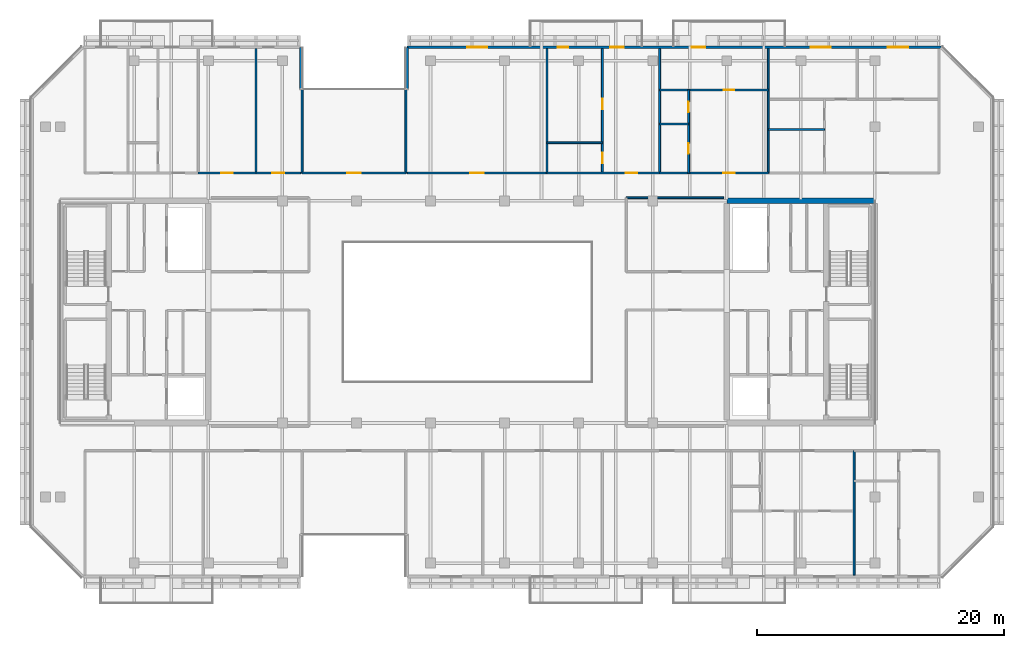
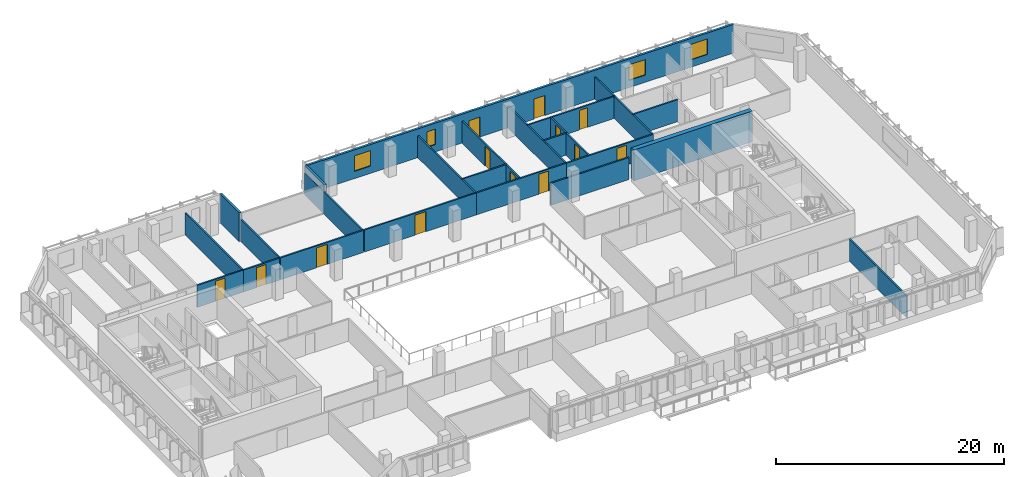
# One storey, part 9 of 16: 24 walls, 13 doors, 4 windows, 17 openings.
"""IFC4 building model written with IfcOpenShell, lengths in metres."""

from ifc_helpers import new_model, si_unit, direction, frame, frame_2d, origin, place, context, subcontext, project, spatial, rectangle, extrude, material, layer, layer_set, type_object, element, fill, save


model = new_model("IFC4")

# Units and contexts
model_context = context("Model", 3, precision=1e-05, world=origin(), true_north=direction((0.0, 1.0)))
body_context = subcontext(model_context, "Body", "Model", "MODEL_VIEW")
ifc_project = project(units=[si_unit("LENGTHUNIT", "METRE"), si_unit("AREAUNIT", "SQUARE_METRE"), si_unit("VOLUMEUNIT", "CUBIC_METRE"), si_unit("PLANEANGLEUNIT", "RADIAN"), si_unit("MASSUNIT", "GRAM", prefix="KILO")], contexts=[model_context])

# Site, building, storey
site_placement = place(None, origin())
site = spatial("IfcSite", under=ifc_project, at=site_placement, CompositionType="ELEMENT")
building_placement = place(site_placement, origin())
building = spatial("IfcBuilding", under=site, at=building_placement, Name="Tanjung Sevakor Pilgrim Tower", CompositionType="ELEMENT")
storey_placement = place(building_placement, frame((0.0, 0.0, 191.72998046875)))
storey = spatial("IfcBuildingStorey", under=building, at=storey_placement, Name="L53", CompositionType="ELEMENT", Elevation=191.72998046875)

# Walls
ifc_material_1 = material(Name="Concrete C60/75", Category="concrete")
ifc_layer_1 = layer(ifc_material_1, 0.449951171875)
ifc_layer_set_1 = layer_set([ifc_layer_1], Name="WALL-CW-450")
wall_type_1 = type_object("IfcWallType", Name="WALL-CW-450", PredefinedType="SHEAR", material=ifc_layer_set_1)
wall_1_placement = place(storey_placement, frame((90.0, 42.60009765625, 0.0), z_axis=(0.0, 0.0, 1.0), x_axis=(-1.0, 0.0, 0.0)))
element("IfcWall", 1, at=wall_1_placement, inside=storey, type_object=wall_type_1, Name="L53 E Core North Shear Wall", PredefinedType="SHEAR", context=body_context, shape_type="SweptSolid", body=[
    extrude(rectangle(XDim=12.0, YDim=0.449951171875, at=frame_2d((6.0, 0.0))), origin(), (0.0, 0.0, 1.0), 3.300048828125),
])
ifc_material_2 = material(Name="Concrete C40/50", Category="concrete")
ifc_layer_2 = layer(ifc_material_2, 0.14990234375)
ifc_layer_set_2 = layer_set([ifc_layer_2], Name="WT-COMP-150")
wall_type_2 = type_object("IfcWallType", Name="WT-COMP-150", PredefinedType="SOLIDWALL", material=ifc_layer_set_2)
wall_2_placement = place(storey_placement, frame((69.85009765625, 42.85009765625, 0.0), z_axis=(0.0, 0.0, 1.0), x_axis=(1.0, 0.0, 0.0)))
element("IfcWall", 2, at=wall_2_placement, inside=storey, type_object=wall_type_2, Name="L53 Partition IW-L53-043", PredefinedType="SOLIDWALL", context=body_context, shape_type="SweptSolid", body=[
    extrude(rectangle(XDim=7.90478515625, YDim=0.14990234375, at=frame_2d((3.952392578125, 0.0))), origin(), (0.0, 0.0, 1.0), 2.35009765625),
])

# Wall, opening, door
wall_3_placement = place(storey_placement, frame((43.60009765625, 44.85009765625, 0.0), z_axis=(0.0, 0.0, 1.0), x_axis=(1.0, 0.0, 0.0)))
wall_3 = element("IfcWall", 3, at=wall_3_placement, inside=storey, type_object=wall_type_2, Name="L53 Partition IW-L53-048", PredefinedType="SOLIDWALL", context=body_context, shape_type="SweptSolid", body=[
    extrude(rectangle(XDim=8.39990234375, YDim=0.14990234375, at=frame_2d((4.199951171875, 0.0))), origin(), (0.0, 0.0, 1.0), 2.35009765625),
])
opening_1_placement = place(wall_3_placement, frame((3.64990234375, 0.0, 0.0)))
opening_1 = element("IfcOpeningElement", 4, at=opening_1_placement, cuts=wall_3, Name="Opening ID-RM2", PredefinedType="OPENING", context=body_context, shape_type="SweptSolid", body=[
    extrude(rectangle(XDim=1.10009765625, YDim=2.14990234375, at=frame_2d((0.550048828125, 1.074951171875))), frame((0.0, 0.0849609375, 0.0), z_axis=(0.0, -1.0, 0.0), x_axis=(1.0, 0.0, 0.0)), (0.0, 0.0, 1.0), 0.169921875),
])
ifc_material_3 = material(Name="Hardwood Timber", Category="wood")
door_type_1 = type_object("IfcDoorType", Name="DT-INT-1100", OperationType="NOTDEFINED", PredefinedType="DOOR", material=ifc_material_3)
door_1_placement = place(opening_1_placement, origin())
door_1 = element("IfcDoor", 5, at=door_1_placement, inside=storey, type_object=door_type_1, Name="L53 North Cleft Prayer Room Door", OperationType="SINGLE_SWING_LEFT", OverallHeight=2.14990234375, OverallWidth=1.10009765625, PredefinedType="DOOR", context=body_context, shape_type="SweptSolid", body=[
    extrude(rectangle(XDim=1.10009765625, YDim=2.14990234375, at=frame_2d((0.550048828125, 1.074951171875))), frame((0.0, 0.02490234375, 0.0), z_axis=(0.0, -1.0, 0.0), x_axis=(1.0, 0.0, 0.0)), (0.0, 0.0, 1.0), 0.050048828125),
])
fill(opening_1, door_1)

# Walls
for number, where, z_axis, x_axis, name in (
    (6, (43.60009765625, 44.85009765625, 0.0), (0.0, 0.0, 1.0), (0.0, 1.0, 0.0), "L53 Partition IW-L53-049"),
    (7, (52.0, 44.85009765625, 0.0), (0.0, 0.0, 1.0), (0.0, 1.0, 0.0), "L53 Partition IW-L53-050"),
):
    element("IfcWall", number, at=place(storey_placement, frame(where, z_axis=z_axis, x_axis=x_axis)), inside=storey, type_object=wall_type_2, Name=name, PredefinedType="SOLIDWALL", context=body_context, shape_type="SweptSolid", body=[
        extrude(rectangle(XDim=10.079833984375, YDim=0.14990234375, at=frame_2d((5.0400390625, 0.0))), origin(), (0.0, 0.0, 1.0), 2.35009765625),
    ])
wall_4_placement = place(storey_placement, frame((88.3173828125, 12.27001953125, 0.0), z_axis=(0.0, 0.0, 1.0), x_axis=(0.0, 1.0, 0.0)))
element("IfcWall", 8, at=wall_4_placement, inside=storey, type_object=wall_type_2, Name="L53 Partition IW-L53-062", PredefinedType="SOLIDWALL", context=body_context, shape_type="SweptSolid", body=[
    extrude(rectangle(XDim=10.080078125, YDim=0.14990234375, at=frame_2d((5.0400390625, 0.0))), origin(), (0.0, 0.0, 1.0), 2.35009765625),
])
wall_5_placement = place(storey_placement, frame((39.861083984375, 44.85009765625, 0.0), z_axis=(0.0, 0.0, 1.0), x_axis=(0.0, 1.0, 0.0)))
element("IfcWall", 9, at=wall_5_placement, inside=storey, type_object=wall_type_2, Name="L53 Partition IW-L53-078", PredefinedType="SOLIDWALL", context=body_context, shape_type="SweptSolid", body=[
    extrude(rectangle(XDim=10.079833984375, YDim=0.14990234375, at=frame_2d((5.0400390625, 0.0))), origin(), (0.0, 0.0, 1.0), 2.35009765625),
])

# Wall, opening, door
wall_6_placement = place(storey_placement, frame((35.17626953125, 44.85009765625, 0.0), z_axis=(0.0, 0.0, 1.0), x_axis=(1.0, 0.0, 0.0)))
wall_6 = element("IfcWall", 10, at=wall_6_placement, inside=storey, type_object=wall_type_2, Name="L53 Partition IW-L53-079", PredefinedType="SOLIDWALL", context=body_context, shape_type="SweptSolid", body=[
    extrude(rectangle(XDim=4.684814453125, YDim=0.14990234375, at=frame_2d((2.34228515625, 0.0))), origin(), (0.0, 0.0, 1.0), 2.35009765625),
])
opening_2_placement = place(wall_6_placement, frame((1.867431640625, 0.0, 0.0)))
opening_2 = element("IfcOpeningElement", 11, at=opening_2_placement, cuts=wall_6, Name="Opening ID-FD2", PredefinedType="OPENING", context=body_context, shape_type="SweptSolid", body=[
    extrude(rectangle(XDim=0.949951171875, YDim=2.14990234375, at=frame_2d((0.47509765625, 1.074951171875))), frame((0.0, 0.0849609375, 0.0), z_axis=(0.0, -1.0, 0.0), x_axis=(1.0, 0.0, 0.0)), (0.0, 0.0, 1.0), 0.169921875),
])
ifc_material_4 = material(Name="Fire-Rated Timber", Category="wood")
door_type_2 = type_object("IfcDoorType", Name="DT-FIRE-950", OperationType="NOTDEFINED", PredefinedType="DOOR", material=ifc_material_4)
door_2_placement = place(opening_2_placement, origin())
door_2 = element("IfcDoor", 12, at=door_2_placement, inside=storey, type_object=door_type_2, Name="Study Room Entrance", OperationType="SINGLE_SWING_LEFT", OverallHeight=2.14990234375, OverallWidth=0.949951171875, PredefinedType="DOOR", context=body_context, shape_type="SweptSolid", body=[
    extrude(rectangle(XDim=0.949951171875, YDim=2.14990234375, at=frame_2d((0.47509765625, 1.074951171875))), frame((0.0, 0.02490234375, 0.0), z_axis=(0.0, -1.0, 0.0), x_axis=(1.0, 0.0, 0.0)), (0.0, 0.0, 1.0), 0.050048828125),
])
fill(opening_2, door_2)

wall_7_placement = place(storey_placement, frame((39.861083984375, 44.85009765625, 0.0), z_axis=(0.0, 0.0, 1.0), x_axis=(1.0, 0.0, 0.0)))
wall_7 = element("IfcWall", 13, at=wall_7_placement, inside=storey, type_object=wall_type_2, Name="L53 Partition IW-L53-080", PredefinedType="SOLIDWALL", context=body_context, shape_type="SweptSolid", body=[
    extrude(rectangle(XDim=3.618896484375, YDim=0.14990234375, at=frame_2d((1.8095703125, 0.0))), origin(), (0.0, 0.0, 1.0), 2.35009765625),
])
opening_3_placement = place(wall_7_placement, frame((1.33447265625, 0.0, 0.0)))
opening_3 = element("IfcOpeningElement", 14, at=opening_3_placement, cuts=wall_7, Name="Opening ID-FD2", PredefinedType="OPENING", context=body_context, shape_type="SweptSolid", body=[
    extrude(rectangle(XDim=0.949951171875, YDim=2.14990234375, at=frame_2d((0.47509765625, 1.074951171875))), frame((0.0, 0.0849609375, 0.0), z_axis=(0.0, -1.0, 0.0), x_axis=(1.0, 0.0, 0.0)), (0.0, 0.0, 1.0), 0.169921875),
])
door_3_placement = place(opening_3_placement, origin())
door_3 = element("IfcDoor", 15, at=door_3_placement, inside=storey, type_object=door_type_2, Name="Study Room Entrance", OperationType="SINGLE_SWING_RIGHT", OverallHeight=2.14990234375, OverallWidth=0.949951171875, PredefinedType="DOOR", context=body_context, shape_type="SweptSolid", body=[
    extrude(rectangle(XDim=0.949951171875, YDim=2.14990234375, at=frame_2d((0.47509765625, 1.074951171875))), frame((0.0, 0.02490234375, 0.0), z_axis=(0.0, -1.0, 0.0), x_axis=(1.0, 0.0, 0.0)), (0.0, 0.0, 1.0), 0.050048828125),
])
fill(opening_3, door_3)

# Wall
wall_8_placement = place(storey_placement, frame((63.440185546875, 44.85009765625, 0.0), z_axis=(0.0, 0.0, 1.0), x_axis=(0.0, 1.0, 0.0)))
element("IfcWall", 16, at=wall_8_placement, inside=storey, type_object=wall_type_2, Name="L53 Partition IW-L53-082", PredefinedType="SOLIDWALL", context=body_context, shape_type="SweptSolid", body=[
    extrude(rectangle(XDim=10.079833984375, YDim=0.14990234375, at=frame_2d((5.0400390625, 0.0))), origin(), (0.0, 0.0, 1.0), 2.35009765625),
])

# Wall, opening, door
wall_9_placement = place(storey_placement, frame((52.1201171875, 44.85009765625, 0.0), z_axis=(0.0, 0.0, 1.0), x_axis=(1.0, 0.0, 0.0)))
wall_9 = element("IfcWall", 17, at=wall_9_placement, inside=storey, type_object=wall_type_2, Name="L53 Partition IW-L53-083", PredefinedType="SOLIDWALL", context=body_context, shape_type="SweptSolid", body=[
    extrude(rectangle(XDim=11.320068359375, YDim=0.14990234375, at=frame_2d((5.66015625, 0.0))), origin(), (0.0, 0.0, 1.0), 2.35009765625),
])
opening_4_placement = place(wall_9_placement, frame((5.110107421875, 0.0, 0.0)))
opening_4 = element("IfcOpeningElement", 18, at=opening_4_placement, cuts=wall_9, Name="Opening ID-FD0", PredefinedType="OPENING", context=body_context, shape_type="SweptSolid", body=[
    extrude(rectangle(XDim=1.10009765625, YDim=2.14990234375, at=frame_2d((0.550048828125, 1.074951171875))), frame((0.0, 0.0849609375, 0.0), z_axis=(0.0, -1.0, 0.0), x_axis=(1.0, 0.0, 0.0)), (0.0, 0.0, 1.0), 0.169921875),
])
ifc_material_5 = material(Name="Fire-Rated Steel S355J2", Category="steel")
door_type_3 = type_object("IfcDoorType", Name="DT-FIRE-1100", OperationType="NOTDEFINED", PredefinedType="DOOR", material=ifc_material_5)
door_4_placement = place(opening_4_placement, origin())
door_4 = element("IfcDoor", 19, at=door_4_placement, inside=storey, type_object=door_type_3, Name="Council Room Door", OperationType="SINGLE_SWING_LEFT", OverallHeight=2.14990234375, OverallWidth=1.10009765625, PredefinedType="DOOR", context=body_context, shape_type="SweptSolid", body=[
    extrude(rectangle(XDim=1.10009765625, YDim=2.14990234375, at=frame_2d((0.550048828125, 1.074951171875))), frame((0.0, 0.02490234375, 0.0), z_axis=(0.0, -1.0, 0.0), x_axis=(1.0, 0.0, 0.0)), (0.0, 0.0, 1.0), 0.050048828125),
])
fill(opening_4, door_4)

# Wall
wall_10_placement = place(storey_placement, frame((72.559326171875, 44.85009765625, 0.0), z_axis=(0.0, 0.0, 1.0), x_axis=(0.0, 1.0, 0.0)))
element("IfcWall", 20, at=wall_10_placement, inside=storey, type_object=wall_type_2, Name="L53 Partition IW-L53-084", PredefinedType="SOLIDWALL", context=body_context, shape_type="SweptSolid", body=[
    extrude(rectangle(XDim=10.079833984375, YDim=0.14990234375, at=frame_2d((5.0400390625, 0.0))), origin(), (0.0, 0.0, 1.0), 2.35009765625),
])

# Wall, opening, door
wall_11_placement = place(storey_placement, frame((63.440185546875, 44.85009765625, 0.0), z_axis=(0.0, 0.0, 1.0), x_axis=(1.0, 0.0, 0.0)))
wall_11 = element("IfcWall", 21, at=wall_11_placement, inside=storey, type_object=wall_type_2, Name="L53 Partition IW-L53-087", PredefinedType="SOLIDWALL", context=body_context, shape_type="SweptSolid", body=[
    extrude(rectangle(XDim=9.119140625, YDim=0.14990234375, at=frame_2d((4.5595703125, 0.0))), origin(), (0.0, 0.0, 1.0), 2.35009765625),
])
opening_5_placement = place(wall_11_placement, frame((6.364501953125, 0.0, 0.0)))
opening_5 = element("IfcOpeningElement", 22, at=opening_5_placement, cuts=wall_11, Name="Opening ID-FD2", PredefinedType="OPENING", context=body_context, shape_type="SweptSolid", body=[
    extrude(rectangle(XDim=0.949951171875, YDim=2.14990234375, at=frame_2d((0.47509765625, 1.074951171875))), frame((0.0, 0.0849609375, 0.0), z_axis=(0.0, -1.0, 0.0), x_axis=(1.0, 0.0, 0.0)), (0.0, 0.0, 1.0), 0.169921875),
])
door_5_placement = place(opening_5_placement, origin())
door_5 = element("IfcDoor", 23, at=door_5_placement, inside=storey, type_object=door_type_2, Name="Hostel Quad Entrance", OperationType="SINGLE_SWING_RIGHT", OverallHeight=2.14990234375, OverallWidth=0.949951171875, PredefinedType="DOOR", context=body_context, shape_type="SweptSolid", body=[
    extrude(rectangle(XDim=0.949951171875, YDim=2.14990234375, at=frame_2d((0.47509765625, 1.074951171875))), frame((0.0, 0.02490234375, 0.0), z_axis=(0.0, -1.0, 0.0), x_axis=(1.0, 0.0, 0.0)), (0.0, 0.0, 1.0), 0.050048828125),
])
fill(opening_5, door_5)

# Wall
wall_12_placement = place(storey_placement, frame((81.364013671875, 44.85009765625, 0.0), z_axis=(0.0, 0.0, 1.0), x_axis=(0.0, 1.0, 0.0)))
element("IfcWall", 24, at=wall_12_placement, inside=storey, type_object=wall_type_2, Name="L53 Partition IW-L53-088", PredefinedType="SOLIDWALL", context=body_context, shape_type="SweptSolid", body=[
    extrude(rectangle(XDim=10.079833984375, YDim=0.14990234375, at=frame_2d((5.0400390625, 0.0))), origin(), (0.0, 0.0, 1.0), 2.35009765625),
])

# Wall, opening, door
wall_13_placement = place(storey_placement, frame((72.559326171875, 44.85009765625, 0.0), z_axis=(0.0, 0.0, 1.0), x_axis=(1.0, 0.0, 0.0)))
wall_13 = element("IfcWall", 25, at=wall_13_placement, inside=storey, type_object=wall_type_2, Name="L53 Partition IW-L53-092", PredefinedType="SOLIDWALL", context=body_context, shape_type="SweptSolid", body=[
    extrude(rectangle(XDim=8.8046875, YDim=0.14990234375, at=frame_2d((4.40234375, 0.0))), origin(), (0.0, 0.0, 1.0), 2.35009765625),
])
opening_6_placement = place(wall_13_placement, frame((5.142333984375, 0.0, 0.0)))
opening_6 = element("IfcOpeningElement", 26, at=opening_6_placement, cuts=wall_13, Name="Opening ID-FD2", PredefinedType="OPENING", context=body_context, shape_type="SweptSolid", body=[
    extrude(rectangle(XDim=0.949951171875, YDim=2.14990234375, at=frame_2d((0.47509765625, 1.074951171875))), frame((0.0, 0.0849609375, 0.0), z_axis=(0.0, -1.0, 0.0), x_axis=(1.0, 0.0, 0.0)), (0.0, 0.0, 1.0), 0.169921875),
])
door_6_placement = place(opening_6_placement, origin())
door_6 = element("IfcDoor", 27, at=door_6_placement, inside=storey, type_object=door_type_2, Name="Residence Entrance", OperationType="SINGLE_SWING_RIGHT", OverallHeight=2.14990234375, OverallWidth=0.949951171875, PredefinedType="DOOR", context=body_context, shape_type="SweptSolid", body=[
    extrude(rectangle(XDim=0.949951171875, YDim=2.14990234375, at=frame_2d((0.47509765625, 1.074951171875))), frame((0.0, 0.02490234375, 0.0), z_axis=(0.0, -1.0, 0.0), x_axis=(1.0, 0.0, 0.0)), (0.0, 0.0, 1.0), 0.050048828125),
])
fill(opening_6, door_6)

# Wall, openings, doors, windows
ifc_material_6 = material(Name="Precast concrete C45/55", Category="concrete")
ifc_layer_3 = layer(ifc_material_6, 0.219970703125)
ifc_layer_set_3 = layer_set([ifc_layer_3], Name="WT-EW-STN4")
wall_type_3 = type_object("IfcWallType", Name="WT-EW-STN4", PredefinedType="SOLIDWALL", material=ifc_layer_set_3)
wall_14_placement = place(storey_placement, frame((95.3544921875, 55.0400390625, 0.0), z_axis=(0.0, 0.0, 1.0), x_axis=(-1.0, 0.0, 0.0)))
wall_14 = element("IfcWall", 28, at=wall_14_placement, inside=storey, type_object=wall_type_3, Name="L53 MAIN Exterior Wall 9", PredefinedType="SOLIDWALL", context=body_context, shape_type="SweptSolid", body=[
    extrude(rectangle(XDim=43.244384765625, YDim=0.219970703125, at=frame_2d((21.6220703125, 0.0))), origin(), (0.0, 0.0, 1.0), 3.080078125),
])
opening_7_placement = place(wall_14_placement, frame((25.704345703125, 0.0, 0.0)))
opening_7 = element("IfcOpeningElement", 29, at=opening_7_placement, cuts=wall_14, Name="Opening ED-BAL-1100", PredefinedType="OPENING", context=body_context, shape_type="SweptSolid", body=[
    extrude(rectangle(XDim=1.10009765625, YDim=2.14990234375, at=frame_2d((0.550048828125, 1.074951171875))), frame((0.0, 0.119873046875, 0.0), z_axis=(0.0, -1.0, 0.0), x_axis=(1.0, 0.0, 0.0)), (0.0, 0.0, 1.0), 0.239990234375),
])
opening_8_placement = place(wall_14_placement, frame((19.1044921875, 0.0, 0.0)))
opening_8 = element("IfcOpeningElement", 30, at=opening_8_placement, cuts=wall_14, Name="Opening ED-BAL-1100", PredefinedType="OPENING", context=body_context, shape_type="SweptSolid", body=[
    extrude(rectangle(XDim=1.10009765625, YDim=2.14990234375, at=frame_2d((0.550048828125, 1.074951171875))), frame((0.0, 0.119873046875, 0.0), z_axis=(0.0, -1.0, 0.0), x_axis=(1.0, 0.0, 0.0)), (0.0, 0.0, 1.0), 0.239990234375),
])
opening_9_placement = place(wall_14_placement, frame((36.749267578125, 0.0, 0.780029296875)))
opening_9 = element("IfcOpeningElement", 31, at=opening_9_placement, cuts=wall_14, Name="Opening WN-Z4-1660", PredefinedType="OPENING", context=body_context, shape_type="SweptSolid", body=[
    extrude(rectangle(XDim=1.64990234375, YDim=1.659912109375, at=frame_2d((0.824951171875, 0.830078125))), frame((0.0, 0.119873046875, 0.0), z_axis=(0.0, -1.0, 0.0), x_axis=(1.0, 0.0, 0.0)), (0.0, 0.0, 1.0), 0.239990234375),
])
opening_10_placement = place(wall_14_placement, frame((30.19921875, 0.0, 0.780029296875)))
opening_10 = element("IfcOpeningElement", 32, at=opening_10_placement, cuts=wall_14, Name="Opening WN-SLM", PredefinedType="OPENING", context=body_context, shape_type="SweptSolid", body=[
    extrude(rectangle(XDim=0.85009765625, YDim=1.64990234375, at=frame_2d((0.425048828125, 0.824951171875))), frame((0.0, 0.119873046875, 0.0), z_axis=(0.0, -1.0, 0.0), x_axis=(1.0, 0.0, 0.0)), (0.0, 0.0, 1.0), 0.239990234375),
])
opening_11_placement = place(wall_14_placement, frame((8.91796875, 0.0, 0.780029296875)))
opening_11 = element("IfcOpeningElement", 33, at=opening_11_placement, cuts=wall_14, Name="Opening WN-Z4-1660", PredefinedType="OPENING", context=body_context, shape_type="SweptSolid", body=[
    extrude(rectangle(XDim=1.64990234375, YDim=1.659912109375, at=frame_2d((0.824951171875, 0.830078125))), frame((0.0, 0.119873046875, 0.0), z_axis=(0.0, -1.0, 0.0), x_axis=(1.0, 0.0, 0.0)), (0.0, 0.0, 1.0), 0.239990234375),
])
opening_12_placement = place(wall_14_placement, frame((2.659912109375, 0.0, 0.780029296875)))
opening_12 = element("IfcOpeningElement", 34, at=opening_12_placement, cuts=wall_14, Name="Opening WN-Z4-1660", PredefinedType="OPENING", context=body_context, shape_type="SweptSolid", body=[
    extrude(rectangle(XDim=1.64990234375, YDim=1.659912109375, at=frame_2d((0.824951171875, 0.830078125))), frame((0.0, 0.119873046875, 0.0), z_axis=(0.0, -1.0, 0.0), x_axis=(1.0, 0.0, 0.0)), (0.0, 0.0, 1.0), 0.239990234375),
])
ifc_material_7 = material(Name="Anodised Aluminium and Laminated Glass", Category="aluminium")
door_type_4 = type_object("IfcDoorType", Name="DTYP-ED-BAL-1100", OperationType="NOTDEFINED", PredefinedType="DOOR", material=ifc_material_7)
door_7_placement = place(opening_7_placement, frame((1.10009765625, 0.0, 0.0), z_axis=(0.0, 0.0, 1.0), x_axis=(-1.0, 0.0, 0.0)))
door_7 = element("IfcDoor", 35, at=door_7_placement, inside=storey, type_object=door_type_4, Name="L53 Balcony Door MAIN-N2", OperationType="SINGLE_SWING_RIGHT", OverallHeight=2.14990234375, OverallWidth=1.10009765625, PredefinedType="DOOR", context=body_context, shape_type="SweptSolid", body=[
    extrude(rectangle(XDim=1.10009765625, YDim=2.14990234375, at=frame_2d((0.550048828125, 1.074951171875))), frame((0.0, 0.02490234375, 0.0), z_axis=(0.0, -1.0, 0.0), x_axis=(1.0, 0.0, 0.0)), (0.0, 0.0, 1.0), 0.050048828125),
])
fill(opening_7, door_7)
door_8_placement = place(opening_8_placement, frame((1.10009765625, 0.0, 0.0), z_axis=(0.0, 0.0, 1.0), x_axis=(-1.0, 0.0, 0.0)))
door_8 = element("IfcDoor", 36, at=door_8_placement, inside=storey, type_object=door_type_4, Name="L53 Balcony Door MAIN-N3", OperationType="SINGLE_SWING_LEFT", OverallHeight=2.14990234375, OverallWidth=1.10009765625, PredefinedType="DOOR", context=body_context, shape_type="SweptSolid", body=[
    extrude(rectangle(XDim=1.10009765625, YDim=2.14990234375, at=frame_2d((0.550048828125, 1.074951171875))), frame((0.0, 0.02490234375, 0.0), z_axis=(0.0, -1.0, 0.0), x_axis=(1.0, 0.0, 0.0)), (0.0, 0.0, 1.0), 0.050048828125),
])
fill(opening_8, door_8)
ifc_material_8 = material(Name="Thermally Broken Aluminium and Low-E Glass", Category="aluminium")
window_type_1 = type_object("IfcWindowType", Name="WTYP-WN-SLM", PartitioningType="SINGLE_PANEL", PredefinedType="WINDOW", material=ifc_material_8)
window_1_placement = place(opening_10_placement, origin())
window_1 = element("IfcWindow", 37, at=window_1_placement, inside=storey, type_object=window_type_1, Name="L53 Facade Window 02", OverallHeight=1.64990234375, OverallWidth=0.85009765625, PartitioningType="SINGLE_PANEL", PredefinedType="WINDOW", context=body_context, shape_type="SweptSolid", body=[
    extrude(rectangle(XDim=0.85009765625, YDim=1.64990234375, at=frame_2d((0.425048828125, 0.824951171875))), frame((0.0, 0.030029296875, 0.0), z_axis=(0.0, -1.0, 0.0), x_axis=(1.0, 0.0, 0.0)), (0.0, 0.0, 1.0), 0.06005859375),
])
fill(opening_10, window_1)
ifc_material_9 = material(Name="Thermally Broken Aluminium and Low-E Glass", Category="aluminium")
window_type_2 = type_object("IfcWindowType", Name="WTYP-WN-Z4-1660", PartitioningType="DOUBLE_PANEL_VERTICAL", PredefinedType="WINDOW", material=ifc_material_9)
window_2_placement = place(opening_9_placement, origin())
window_2 = element("IfcWindow", 38, at=window_2_placement, inside=storey, type_object=window_type_2, Name="L53 Facade Window 01", OverallHeight=1.659912109375, OverallWidth=1.64990234375, PartitioningType="SINGLE_PANEL", PredefinedType="WINDOW", context=body_context, shape_type="SweptSolid", body=[
    extrude(rectangle(XDim=1.64990234375, YDim=1.659912109375, at=frame_2d((0.824951171875, 0.830078125))), frame((0.0, 0.030029296875, 0.0), z_axis=(0.0, -1.0, 0.0), x_axis=(1.0, 0.0, 0.0)), (0.0, 0.0, 1.0), 0.06005859375),
])
fill(opening_9, window_2)
window_3_placement = place(opening_11_placement, origin())
window_3 = element("IfcWindow", 39, at=window_3_placement, inside=storey, type_object=window_type_2, Name="L53 Facade Window 03", OverallHeight=1.659912109375, OverallWidth=1.64990234375, PartitioningType="SINGLE_PANEL", PredefinedType="WINDOW", context=body_context, shape_type="SweptSolid", body=[
    extrude(rectangle(XDim=1.64990234375, YDim=1.659912109375, at=frame_2d((0.824951171875, 0.830078125))), frame((0.0, 0.030029296875, 0.0), z_axis=(0.0, -1.0, 0.0), x_axis=(1.0, 0.0, 0.0)), (0.0, 0.0, 1.0), 0.06005859375),
])
fill(opening_11, window_3)
window_4_placement = place(opening_12_placement, origin())
window_4 = element("IfcWindow", 40, at=window_4_placement, inside=storey, type_object=window_type_2, Name="L53 Facade Window 04", OverallHeight=1.659912109375, OverallWidth=1.64990234375, PartitioningType="SINGLE_PANEL", PredefinedType="WINDOW", context=body_context, shape_type="SweptSolid", body=[
    extrude(rectangle(XDim=1.64990234375, YDim=1.659912109375, at=frame_2d((0.824951171875, 0.830078125))), frame((0.0, 0.030029296875, 0.0), z_axis=(0.0, -1.0, 0.0), x_axis=(1.0, 0.0, 0.0)), (0.0, 0.0, 1.0), 0.06005859375),
])
fill(opening_12, window_4)

# Walls
for number, where, z_axis, x_axis, name in (
    (41, (52.110107421875, 55.0400390625, 0.0), (0.0, 0.0, 1.0), (0.0, -1.0, 0.0), "L53 MAIN Exterior Wall 10"),
    (42, (43.489990234375, 51.639892578125, 0.0), (0.0, 0.0, 1.0), (0.0, 1.0, 0.0), "L53 MAIN Exterior Wall 12"),
):
    element("IfcWall", number, at=place(storey_placement, frame(where, z_axis=z_axis, x_axis=x_axis)), inside=storey, type_object=wall_type_3, Name=name, PredefinedType="SOLIDWALL", context=body_context, shape_type="SweptSolid", body=[
        extrude(rectangle(XDim=3.400146484375, YDim=0.219970703125, at=frame_2d((1.7001953125, 0.0))), origin(), (0.0, 0.0, 1.0), 3.080078125),
    ])
ifc_material_10 = material(Name="Gypsum Board Partition", Category="gypsum board")
ifc_layer_4 = layer(ifc_material_10, 0.14990234375)
ifc_layer_set_4 = layer_set([ifc_layer_4], Name="WT-PART-150")
wall_type_4 = type_object("IfcWallType", Name="WT-PART-150", PredefinedType="PARTITIONING", material=ifc_layer_set_4)
wall_15_placement = place(storey_placement, frame((63.440185546875, 47.300048828125, 0.0), z_axis=(0.0, 0.0, 1.0), x_axis=(1.0, 0.0, 0.0)))
element("IfcWall", 43, at=wall_15_placement, inside=storey, type_object=wall_type_4, Name="L53 Partition IW-L53-085", PredefinedType="PARTITIONING", context=body_context, shape_type="SweptSolid", body=[
    extrude(rectangle(XDim=4.479736328125, YDim=0.14990234375, at=frame_2d((2.23974609375, 0.0))), origin(), (0.0, 0.0, 1.0), 2.35009765625),
])

# Wall, openings, doors
wall_16_placement = place(storey_placement, frame((67.919921875, 44.85009765625, 0.0), z_axis=(0.0, 0.0, 1.0), x_axis=(0.0, 1.0, 0.0)))
wall_16 = element("IfcWall", 44, at=wall_16_placement, inside=storey, type_object=wall_type_4, Name="L53 Partition IW-L53-086", PredefinedType="PARTITIONING", context=body_context, shape_type="SweptSolid", body=[
    extrude(rectangle(XDim=10.079833984375, YDim=0.14990234375, at=frame_2d((5.0400390625, 0.0))), origin(), (0.0, 0.0, 1.0), 2.35009765625),
])
opening_13_placement = place(wall_16_placement, frame((0.800048828125, 0.0, 0.0)))
opening_13 = element("IfcOpeningElement", 45, at=opening_13_placement, cuts=wall_16, Name="Opening ID-WC1", PredefinedType="OPENING", context=body_context, shape_type="SweptSolid", body=[
    extrude(rectangle(XDim=0.85009765625, YDim=2.10009765625, at=frame_2d((0.425048828125, 1.050048828125))), frame((0.0, 0.0849609375, 0.0), z_axis=(0.0, -1.0, 0.0), x_axis=(1.0, 0.0, 0.0)), (0.0, 0.0, 1.0), 0.169921875),
])
opening_14_placement = place(wall_16_placement, frame((5.162109375, 0.0, 0.0)))
opening_14 = element("IfcOpeningElement", 46, at=opening_14_placement, cuts=wall_16, Name="Opening ID-WC1", PredefinedType="OPENING", context=body_context, shape_type="SweptSolid", body=[
    extrude(rectangle(XDim=0.85009765625, YDim=2.10009765625, at=frame_2d((0.425048828125, 1.050048828125))), frame((0.0, 0.0849609375, 0.0), z_axis=(0.0, -1.0, 0.0), x_axis=(1.0, 0.0, 0.0)), (0.0, 0.0, 1.0), 0.169921875),
])
ifc_material_11 = material(Name="Moisture-Resistant Timber", Category="wood")
door_type_5 = type_object("IfcDoorType", Name="DT-INT-850", OperationType="NOTDEFINED", PredefinedType="DOOR", material=ifc_material_11)
door_9_placement = place(opening_13_placement, origin())
door_9 = element("IfcDoor", 47, at=door_9_placement, inside=storey, type_object=door_type_5, Name="Bathroom Door", OperationType="SINGLE_SWING_RIGHT", OverallHeight=2.10009765625, OverallWidth=0.85009765625, PredefinedType="DOOR", context=body_context, shape_type="SweptSolid", body=[
    extrude(rectangle(XDim=0.85009765625, YDim=2.10009765625, at=frame_2d((0.425048828125, 1.050048828125))), frame((0.0, 0.02490234375, 0.0), z_axis=(0.0, -1.0, 0.0), x_axis=(1.0, 0.0, 0.0)), (0.0, 0.0, 1.0), 0.050048828125),
])
fill(opening_13, door_9)
door_10_placement = place(opening_14_placement, origin())
door_10 = element("IfcDoor", 48, at=door_10_placement, inside=storey, type_object=door_type_5, Name="Study Nook Door", OperationType="SINGLE_SWING_LEFT", OverallHeight=2.10009765625, OverallWidth=0.85009765625, PredefinedType="DOOR", context=body_context, shape_type="SweptSolid", body=[
    extrude(rectangle(XDim=0.85009765625, YDim=2.10009765625, at=frame_2d((0.425048828125, 1.050048828125))), frame((0.0, 0.02490234375, 0.0), z_axis=(0.0, -1.0, 0.0), x_axis=(1.0, 0.0, 0.0)), (0.0, 0.0, 1.0), 0.050048828125),
])
fill(opening_14, door_10)

# Wall
wall_17_placement = place(storey_placement, frame((72.559326171875, 48.8203125, 0.0), z_axis=(0.0, 0.0, 1.0), x_axis=(1.0, 0.0, 0.0)))
element("IfcWall", 49, at=wall_17_placement, inside=storey, type_object=wall_type_4, Name="L53 Partition IW-L53-089", PredefinedType="PARTITIONING", context=body_context, shape_type="SweptSolid", body=[
    extrude(rectangle(XDim=2.35009765625, YDim=0.14990234375, at=frame_2d((1.175048828125, 0.0))), origin(), (0.0, 0.0, 1.0), 2.35009765625),
])

# Wall, openings, doors
wall_18_placement = place(storey_placement, frame((74.909423828125, 44.85009765625, 0.0), z_axis=(0.0, 0.0, 1.0), x_axis=(0.0, 1.0, 0.0)))
wall_18 = element("IfcWall", 50, at=wall_18_placement, inside=storey, type_object=wall_type_4, Name="L53 Partition IW-L53-090", PredefinedType="PARTITIONING", context=body_context, shape_type="SweptSolid", body=[
    extrude(rectangle(XDim=6.7294921875, YDim=0.14990234375, at=frame_2d((3.36474609375, 0.0))), origin(), (0.0, 0.0, 1.0), 2.35009765625),
])
opening_15_placement = place(wall_18_placement, frame((1.560302734375, 0.0, 0.0)))
opening_15 = element("IfcOpeningElement", 51, at=opening_15_placement, cuts=wall_18, Name="Opening ID-WC1", PredefinedType="OPENING", context=body_context, shape_type="SweptSolid", body=[
    extrude(rectangle(XDim=0.85009765625, YDim=2.10009765625, at=frame_2d((0.425048828125, 1.050048828125))), frame((0.0, 0.0849609375, 0.0), z_axis=(0.0, -1.0, 0.0), x_axis=(1.0, 0.0, 0.0)), (0.0, 0.0, 1.0), 0.169921875),
])
opening_16_placement = place(wall_18_placement, frame((4.9248046875, 0.0, 0.0)))
opening_16 = element("IfcOpeningElement", 52, at=opening_16_placement, cuts=wall_18, Name="Opening ID-WC1", PredefinedType="OPENING", context=body_context, shape_type="SweptSolid", body=[
    extrude(rectangle(XDim=0.85009765625, YDim=2.10009765625, at=frame_2d((0.425048828125, 1.050048828125))), frame((0.0, 0.0849609375, 0.0), z_axis=(0.0, -1.0, 0.0), x_axis=(1.0, 0.0, 0.0)), (0.0, 0.0, 1.0), 0.169921875),
])
door_11_placement = place(opening_15_placement, origin())
door_11 = element("IfcDoor", 53, at=door_11_placement, inside=storey, type_object=door_type_5, Name="Residence Kitchenette Door", OperationType="SINGLE_SWING_LEFT", OverallHeight=2.10009765625, OverallWidth=0.85009765625, PredefinedType="DOOR", context=body_context, shape_type="SweptSolid", body=[
    extrude(rectangle(XDim=0.85009765625, YDim=2.10009765625, at=frame_2d((0.425048828125, 1.050048828125))), frame((0.0, 0.02490234375, 0.0), z_axis=(0.0, -1.0, 0.0), x_axis=(1.0, 0.0, 0.0)), (0.0, 0.0, 1.0), 0.050048828125),
])
fill(opening_15, door_11)
door_12_placement = place(opening_16_placement, origin())
door_12 = element("IfcDoor", 54, at=door_12_placement, inside=storey, type_object=door_type_5, Name="Residence Bathroom Door", OperationType="SINGLE_SWING_RIGHT", OverallHeight=2.10009765625, OverallWidth=0.85009765625, PredefinedType="DOOR", context=body_context, shape_type="SweptSolid", body=[
    extrude(rectangle(XDim=0.85009765625, YDim=2.10009765625, at=frame_2d((0.425048828125, 1.050048828125))), frame((0.0, 0.02490234375, 0.0), z_axis=(0.0, -1.0, 0.0), x_axis=(1.0, 0.0, 0.0)), (0.0, 0.0, 1.0), 0.050048828125),
])
fill(opening_16, door_12)

# Wall, opening, door
wall_19_placement = place(storey_placement, frame((72.559326171875, 51.57958984375, 0.0), z_axis=(0.0, 0.0, 1.0), x_axis=(1.0, 0.0, 0.0)))
wall_19 = element("IfcWall", 55, at=wall_19_placement, inside=storey, type_object=wall_type_4, Name="L53 Partition IW-L53-091", PredefinedType="PARTITIONING", context=body_context, shape_type="SweptSolid", body=[
    extrude(rectangle(XDim=8.8046875, YDim=0.14990234375, at=frame_2d((4.40234375, 0.0))), origin(), (0.0, 0.0, 1.0), 2.35009765625),
])
opening_17_placement = place(wall_19_placement, frame((5.1923828125, 0.0, 0.0)))
opening_17 = element("IfcOpeningElement", 56, at=opening_17_placement, cuts=wall_19, Name="Opening ID-WC1", PredefinedType="OPENING", context=body_context, shape_type="SweptSolid", body=[
    extrude(rectangle(XDim=0.85009765625, YDim=2.10009765625, at=frame_2d((0.425048828125, 1.050048828125))), frame((0.0, 0.0849609375, 0.0), z_axis=(0.0, -1.0, 0.0), x_axis=(1.0, 0.0, 0.0)), (0.0, 0.0, 1.0), 0.169921875),
])
door_13_placement = place(opening_17_placement, origin())
door_13 = element("IfcDoor", 57, at=door_13_placement, inside=storey, type_object=door_type_5, Name="Residence Bedroom Door", OperationType="SINGLE_SWING_LEFT", OverallHeight=2.10009765625, OverallWidth=0.85009765625, PredefinedType="DOOR", context=body_context, shape_type="SweptSolid", body=[
    extrude(rectangle(XDim=0.85009765625, YDim=2.10009765625, at=frame_2d((0.425048828125, 1.050048828125))), frame((0.0, 0.02490234375, 0.0), z_axis=(0.0, -1.0, 0.0), x_axis=(1.0, 0.0, 0.0)), (0.0, 0.0, 1.0), 0.050048828125),
])
fill(opening_17, door_13)

# Wall
wall_20_placement = place(storey_placement, frame((81.364013671875, 48.378173828125, 0.0), z_axis=(0.0, 0.0, 1.0), x_axis=(1.0, 0.0, 0.0)))
element("IfcWall", 58, at=wall_20_placement, inside=storey, type_object=wall_type_4, Name="L53 Partition IW-L53-093", PredefinedType="PARTITIONING", context=body_context, shape_type="SweptSolid", body=[
    extrude(rectangle(XDim=4.555908203125, YDim=0.14990234375, at=frame_2d((2.27783203125, 0.0))), origin(), (0.0, 0.0, 1.0), 2.35009765625),
])

save(model, "model.ifc")
